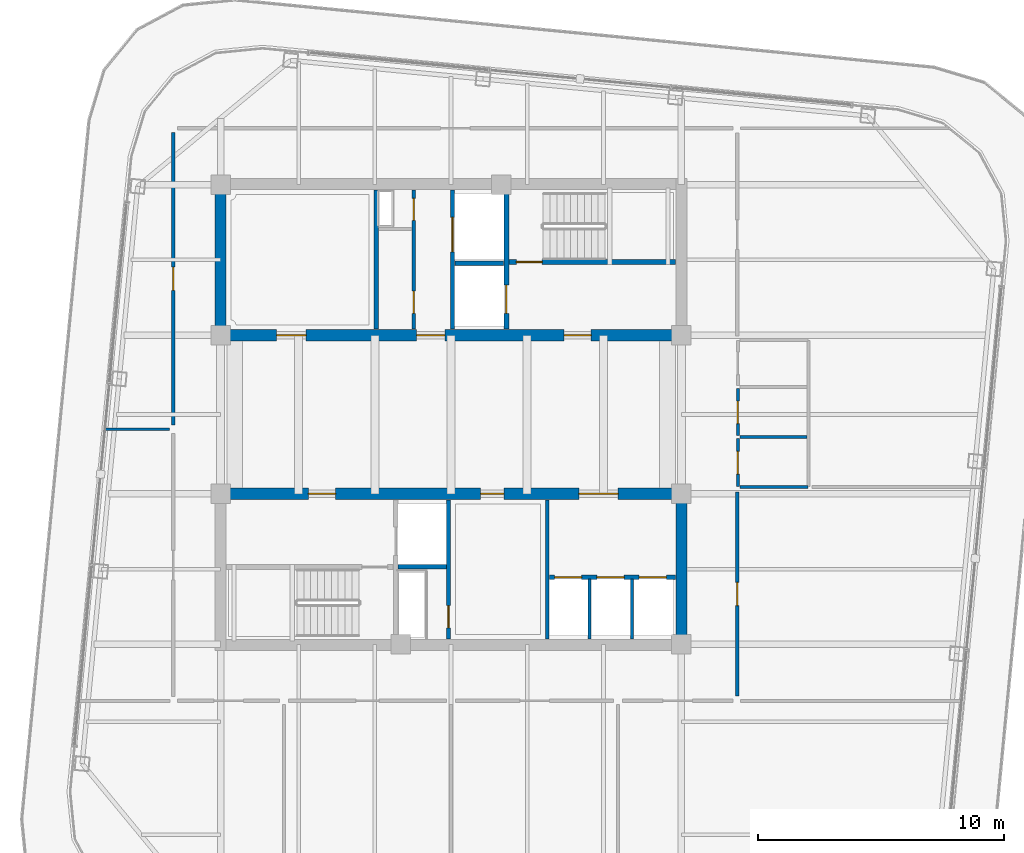
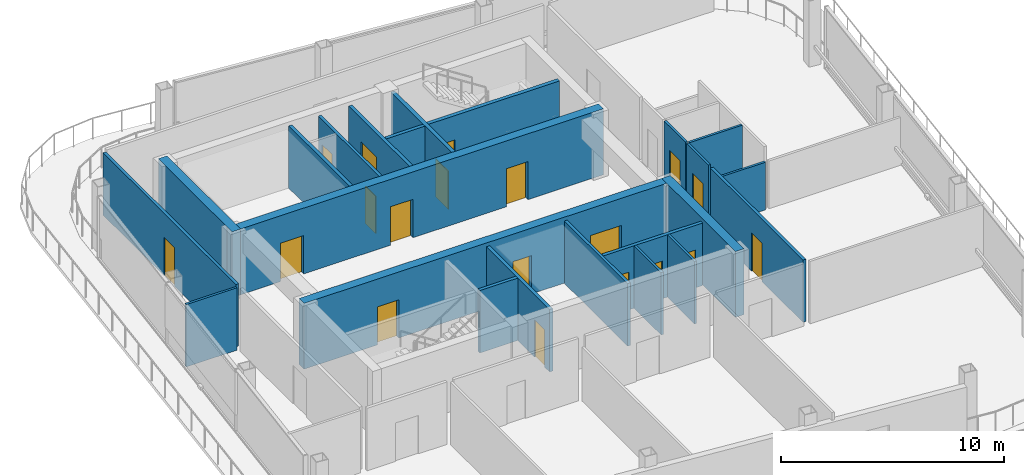
# One storey, part 17 of 23: 23 walls, 19 doors, 19 openings.
"""IFC4 building model written with IfcOpenShell, lengths in metres."""

from ifc_helpers import new_model, si_unit, direction, frame, frame_2d, origin, place, context, subcontext, project, spatial, rectangle, extrude, material, layer, layer_set, type_object, element, fill, save


model = new_model("IFC4")

# Units and contexts
model_context = context("Model", 3, precision=1e-05, world=origin(), true_north=direction((0.0, 1.0)))
body_context = subcontext(model_context, "Body", "Model", "MODEL_VIEW")
ifc_project = project(units=[si_unit("LENGTHUNIT", "METRE"), si_unit("AREAUNIT", "SQUARE_METRE"), si_unit("VOLUMEUNIT", "CUBIC_METRE"), si_unit("PLANEANGLEUNIT", "RADIAN"), si_unit("MASSUNIT", "GRAM", prefix="KILO")], contexts=[model_context])

# Site, building, storey
site_placement = place(None, origin())
site = spatial("IfcSite", under=ifc_project, at=site_placement, CompositionType="ELEMENT")
building_placement = place(site_placement, origin())
building = spatial("IfcBuilding", under=site, at=building_placement, Name="Qhalaya Broadcast Tower", CompositionType="ELEMENT")
storey_placement = place(building_placement, frame((0.0, 0.0, 276.949951171875)))
storey = spatial("IfcBuildingStorey", under=building, at=storey_placement, Name="L82", CompositionType="ELEMENT", Elevation=276.949951171875)

# Wall, openings, doors
ifc_material_1 = material(Name="Gypsum Acoustic Partition")
ifc_layer_1 = layer(ifc_material_1, 0.14990234375, Name="Gypsum Acoustic Partition")
ifc_layer_set_1 = layer_set([ifc_layer_1], Name="Gypsum Acoustic Partition")
wall_type_1 = type_object("IfcWallType", Name="Corridor & Tenancy Acoustic Partition 150", PredefinedType="PARTITIONING", material=ifc_layer_set_1)
wall_1_placement = place(storey_placement, frame((-1.52001953125, 4.070068359375, 0.0), z_axis=(0.0, 0.0, 1.0), x_axis=(0.0, 1.0, 0.0)))
wall_1 = element("IfcWall", 1, at=wall_1_placement, inside=storey, type_object=wall_type_1, Name="L82 Partition Wall NCW-SVL", PredefinedType="PARTITIONING", context=body_context, shape_type="SweptSolid", body=[
    extrude(rectangle(XDim=5.659912109375, YDim=0.14990234375, at=frame_2d((2.830078125, 0.0))), origin(), (0.0, 0.0, 1.0), 3.41015625),
])
opening_1_placement = place(wall_1_placement, frame((4.429931640625, 0.0, 0.0)))
opening_1 = element("IfcOpeningElement", 2, at=opening_1_placement, cuts=wall_1, Name="Opening D06", PredefinedType="OPENING", context=body_context, shape_type="SweptSolid", body=[
    extrude(rectangle(XDim=0.89990234375, YDim=2.050048828125, at=frame_2d((0.449951171875, 1.02490234375))), frame((0.0, 0.0869140625, 0.0), z_axis=(0.0, -1.0, 0.0), x_axis=(1.0, 0.0, 0.0)), (0.0, 0.0, 1.0), 0.173828125),
])
opening_2_placement = place(wall_1_placement, frame((0.64990234375, 0.0, 0.0)))
opening_2 = element("IfcOpeningElement", 3, at=opening_2_placement, cuts=wall_1, Name="Opening D06", PredefinedType="OPENING", context=body_context, shape_type="SweptSolid", body=[
    extrude(rectangle(XDim=0.89990234375, YDim=2.050048828125, at=frame_2d((0.449951171875, 1.02490234375))), frame((0.0, 0.0869140625, 0.0), z_axis=(0.0, -1.0, 0.0), x_axis=(1.0, 0.0, 0.0)), (0.0, 0.0, 1.0), 0.173828125),
])
ifc_material_2 = material(Name="Fire-Rated Steel Door", Category="steel")
door_type_1 = type_object("IfcDoorType", Name="Riser & Electrical Shaft Access Door D06", OperationType="NOTDEFINED", PredefinedType="DOOR", material=ifc_material_2)
door_1_placement = place(opening_1_placement, origin())
door_1 = element("IfcDoor", 4, at=door_1_placement, inside=storey, type_object=door_type_1, Name="L82 Riser Shaft Access Door D-NRSR", OperationType="SINGLE_SWING_RIGHT", OverallHeight=2.050048828125, OverallWidth=0.89990234375, PredefinedType="DOOR", context=body_context, shape_type="SweptSolid", body=[
    extrude(rectangle(XDim=0.89990234375, YDim=2.050048828125, at=frame_2d((0.449951171875, 1.02490234375))), frame((0.0, 0.02490234375, 0.0), z_axis=(0.0, -1.0, 0.0), x_axis=(1.0, 0.0, 0.0)), (0.0, 0.0, 1.0), 0.050048828125),
])
fill(opening_1, door_1)
door_2_placement = place(opening_2_placement, origin())
door_2 = element("IfcDoor", 5, at=door_2_placement, inside=storey, type_object=door_type_1, Name="L82 Door D-NCST", OperationType="SINGLE_SWING_LEFT", OverallHeight=2.050048828125, OverallWidth=0.89990234375, PredefinedType="DOOR", context=body_context, shape_type="SweptSolid", body=[
    extrude(rectangle(XDim=0.89990234375, YDim=2.050048828125, at=frame_2d((0.449951171875, 1.02490234375))), frame((0.0, 0.02490234375, 0.0), z_axis=(0.0, -1.0, 0.0), x_axis=(1.0, 0.0, 0.0)), (0.0, 0.0, 1.0), 0.050048828125),
])
fill(opening_2, door_2)

# Wall
wall_2_placement = place(storey_placement, frame((3.919921875, -8.530029296875, 0.0), z_axis=(0.0, 0.0, 1.0), x_axis=(0.0, 1.0, 0.0)))
element("IfcWall", 6, at=wall_2_placement, inside=storey, type_object=wall_type_1, Name="L82 Partition Wall SCW-HSEP", PredefinedType="PARTITIONING", context=body_context, shape_type="SweptSolid", body=[
    extrude(rectangle(XDim=5.659912109375, YDim=0.14990234375, at=frame_2d((2.830078125, 0.0))), origin(), (0.0, 0.0, 1.0), 3.41015625),
])

# Wall, opening, door
wall_3_placement = place(storey_placement, frame((-11.300048828125, 0.179931640625, 0.0), z_axis=(0.0, 0.0, 1.0), x_axis=(0.0, 1.0, 0.0)))
wall_3 = element("IfcWall", 7, at=wall_3_placement, inside=storey, type_object=wall_type_1, Name="L82 Partition Wall W-COR-07", PredefinedType="PARTITIONING", context=body_context, shape_type="SweptSolid", body=[
    extrude(rectangle(XDim=11.89013671875, YDim=0.14990234375, at=frame_2d((5.945068359375, 0.0))), origin(), (0.0, 0.0, 1.0), 3.41015625),
])
opening_3_placement = place(wall_3_placement, frame((5.469970703125, 0.0, 0.0)))
opening_3 = element("IfcOpeningElement", 8, at=opening_3_placement, cuts=wall_3, Name="Opening D10", PredefinedType="OPENING", context=body_context, shape_type="SweptSolid", body=[
    extrude(rectangle(XDim=0.949951171875, YDim=2.10009765625, at=frame_2d((0.47509765625, 1.050048828125))), frame((0.0, 0.0869140625, 0.0), z_axis=(0.0, -1.0, 0.0), x_axis=(1.0, 0.0, 0.0)), (0.0, 0.0, 1.0), 0.173828125),
])
ifc_material_3 = material(Name="Timber Veneer Acoustic Door", Category="wood")
door_type_2 = type_object("IfcDoorType", Name="Cellular Office & Edit Booth Door D10", OperationType="NOTDEFINED", PredefinedType="DOOR", material=ifc_material_3)
door_3_placement = place(opening_3_placement, origin())
door_3 = element("IfcDoor", 9, at=door_3_placement, inside=storey, type_object=door_type_2, Name="L82 Door D-RM07", OperationType="SINGLE_SWING_RIGHT", OverallHeight=2.10009765625, OverallWidth=0.949951171875, PredefinedType="DOOR", context=body_context, shape_type="SweptSolid", body=[
    extrude(rectangle(XDim=0.949951171875, YDim=2.10009765625, at=frame_2d((0.47509765625, 1.050048828125))), frame((0.0, 0.02490234375, 0.0), z_axis=(0.0, -1.0, 0.0), x_axis=(1.0, 0.0, 0.0)), (0.0, 0.0, 1.0), 0.050048828125),
])
fill(opening_3, door_3)

wall_4_placement = place(storey_placement, frame((11.64990234375, -10.85009765625, 0.0), z_axis=(0.0, 0.0, 1.0), x_axis=(0.0, 1.0, 0.0)))
wall_4 = element("IfcWall", 10, at=wall_4_placement, inside=storey, type_object=wall_type_1, Name="L82 Partition Wall W-COR-08", PredefinedType="PARTITIONING", context=body_context, shape_type="SweptSolid", body=[
    extrude(rectangle(XDim=8.2900390625, YDim=0.14990234375, at=frame_2d((4.14501953125, 0.0))), origin(), (0.0, 0.0, 1.0), 3.41015625),
])
opening_4_placement = place(wall_4_placement, frame((3.669921875, 0.0, 0.0)))
opening_4 = element("IfcOpeningElement", 11, at=opening_4_placement, cuts=wall_4, Name="Opening D10", PredefinedType="OPENING", context=body_context, shape_type="SweptSolid", body=[
    extrude(rectangle(XDim=0.949951171875, YDim=2.10009765625, at=frame_2d((0.47509765625, 1.050048828125))), frame((0.0, 0.0869140625, 0.0), z_axis=(0.0, -1.0, 0.0), x_axis=(1.0, 0.0, 0.0)), (0.0, 0.0, 1.0), 0.173828125),
])
door_4_placement = place(opening_4_placement, origin())
door_4 = element("IfcDoor", 12, at=door_4_placement, inside=storey, type_object=door_type_2, Name="L82 Door D-RM08", OperationType="SINGLE_SWING_LEFT", OverallHeight=2.10009765625, OverallWidth=0.949951171875, PredefinedType="DOOR", context=body_context, shape_type="SweptSolid", body=[
    extrude(rectangle(XDim=0.949951171875, YDim=2.10009765625, at=frame_2d((0.47509765625, 1.050048828125))), frame((0.0, 0.02490234375, 0.0), z_axis=(0.0, -1.0, 0.0), x_axis=(1.0, 0.0, 0.0)), (0.0, 0.0, 1.0), 0.050048828125),
])
fill(opening_4, door_4)

ifc_material_4 = material(Name="Concrete C50/60", Category="concrete")
ifc_layer_2 = layer(ifc_material_4, 0.199951171875, Name="Concrete C50/60")
ifc_layer_set_2 = layer_set([ifc_layer_2], Name="Concrete C50/60")
wall_type_2 = type_object("IfcWallType", Name="Load-Bearing Stair Shaft Wall 200", PredefinedType="SHEAR", material=ifc_layer_set_2)
wall_5_placement = place(storey_placement, frame((2.360107421875, 6.804931640625, 0.0), z_axis=(0.0, 0.0, 1.0), x_axis=(1.0, 0.0, 0.0)))
wall_5 = element("IfcWall", 13, at=wall_5_placement, inside=storey, type_object=wall_type_2, Name="L82 Stair Core Shear Wall NCW-ST1", PredefinedType="SHEAR", context=body_context, shape_type="SweptSolid", body=[
    extrude(rectangle(XDim=6.769775390625, YDim=0.199951171875, at=frame_2d((3.384765625, 0.0))), origin(), (0.0, 0.0, 1.0), 3.41015625),
])
opening_5_placement = place(wall_5_placement, frame((0.300048828125, 0.0, 0.0)))
opening_5 = element("IfcOpeningElement", 14, at=opening_5_placement, cuts=wall_5, Name="Opening D03", PredefinedType="OPENING", context=body_context, shape_type="SweptSolid", body=[
    extrude(rectangle(XDim=1.050048828125, YDim=2.080078125, at=frame_2d((0.52490234375, 1.0400390625))), frame((0.0, 0.112060546875, 0.0), z_axis=(0.0, -1.0, 0.0), x_axis=(1.0, 0.0, 0.0)), (0.0, 0.0, 1.0), 0.223876953125),
])
door_type_3 = type_object("IfcDoorType", Name="Core Stair Protected Fire Door D03", OperationType="NOTDEFINED", PredefinedType="DOOR", material=ifc_material_2)
door_5_placement = place(opening_5_placement, origin())
door_5 = element("IfcDoor", 15, at=door_5_placement, inside=storey, type_object=door_type_3, Name="L82 Door D-NST1", OperationType="SINGLE_SWING_LEFT", OverallHeight=2.080078125, OverallWidth=1.050048828125, PredefinedType="DOOR", context=body_context, shape_type="SweptSolid", body=[
    extrude(rectangle(XDim=1.050048828125, YDim=2.080078125, at=frame_2d((0.52490234375, 1.0400390625))), frame((0.0, 0.02490234375, 0.0), z_axis=(0.0, -1.0, 0.0), x_axis=(1.0, 0.0, 0.0)), (0.0, 0.0, 1.0), 0.050048828125),
])
fill(opening_5, door_5)

wall_6_placement = place(storey_placement, frame((2.25, 4.070068359375, 0.0), z_axis=(0.0, 0.0, 1.0), x_axis=(0.0, 1.0, 0.0)))
wall_6 = element("IfcWall", 16, at=wall_6_placement, inside=storey, type_object=wall_type_2, Name="L82 Stair Core Shear Wall NCW-FF", PredefinedType="SHEAR", context=body_context, shape_type="SweptSolid", body=[
    extrude(rectangle(XDim=5.659912109375, YDim=0.199951171875, at=frame_2d((2.830078125, 0.0))), origin(), (0.0, 0.0, 1.0), 3.41015625),
])
opening_6_placement = place(wall_6_placement, frame((0.64990234375, 0.0, 0.0)))
opening_6 = element("IfcOpeningElement", 17, at=opening_6_placement, cuts=wall_6, Name="Opening LD2", PredefinedType="OPENING", context=body_context, shape_type="SweptSolid", body=[
    extrude(rectangle(XDim=1.14990234375, YDim=2.080078125, at=frame_2d((0.574951171875, 1.0400390625))), frame((0.0, 0.112060546875, 0.0), z_axis=(0.0, -1.0, 0.0), x_axis=(1.0, 0.0, 0.0)), (0.0, 0.0, 1.0), 0.223876953125),
])
ifc_material_5 = material(Name="Brushed Stainless Steel Lift Door", Category="steel")
door_type_4 = type_object("IfcDoorType", Name="Firefighting Lift Sliding Landing Door LD2", OperationType="DOUBLE_DOOR_SLIDING", PredefinedType="DOOR", material=ifc_material_5)
door_6_placement = place(opening_6_placement, origin())
door_6 = element("IfcDoor", 18, at=door_6_placement, inside=storey, type_object=door_type_4, Name="L82 Door LD-FF1", OperationType="DOUBLE_DOOR_SLIDING", OverallHeight=2.080078125, OverallWidth=1.14990234375, PredefinedType="DOOR", context=body_context, shape_type="SweptSolid", body=[
    extrude(rectangle(XDim=1.14990234375, YDim=2.080078125, at=frame_2d((0.574951171875, 1.0400390625))), frame((0.0, 0.02490234375, 0.0), z_axis=(0.0, -1.0, 0.0), x_axis=(1.0, 0.0, 0.0)), (0.0, 0.0, 1.0), 0.050048828125),
])
fill(opening_6, door_6)

# Walls
ifc_layer_3 = layer(ifc_material_1, 0.1201171875, Name="Gypsum Acoustic Partition")
ifc_layer_set_3 = layer_set([ifc_layer_3], Name="Gypsum Acoustic Partition")
wall_type_3 = type_object("IfcWallType", Name="Office, Booth & Sanitary Partition 120", PredefinedType="PARTITIONING", material=ifc_layer_set_3)
for number, where, z_axis, x_axis, name in (
    (19, (5.639892578125, -8.530029296875, 0.0), (0.0, 0.0, 1.0), (0.0, 1.0, 0.0), "L82 Partition Wall SCW-HD6"),
    (20, (7.360107421875, -8.530029296875, 0.0), (0.0, 0.0, 1.0), (0.0, 1.0, 0.0), "L82 Partition Wall SCW-HD7"),
):
    element("IfcWall", number, at=place(storey_placement, frame(where, z_axis=z_axis, x_axis=x_axis)), inside=storey, type_object=wall_type_3, Name=name, PredefinedType="PARTITIONING", context=body_context, shape_type="SweptSolid", body=[
        extrude(rectangle(XDim=2.429931640625, YDim=0.1201171875, at=frame_2d((1.21484375, 0.0))), origin(), (0.0, 0.0, 1.0), 3.41015625),
    ])

# Wall, opening, door
wall_7_placement = place(storey_placement, frame((11.669921875, -2.320068359375, 0.0), z_axis=(0.0, 0.0, 1.0), x_axis=(0.0, 1.0, 0.0)))
wall_7 = element("IfcWall", 21, at=wall_7_placement, inside=storey, type_object=wall_type_3, Name="L82 Partition Wall W-WCWA", PredefinedType="PARTITIONING", context=body_context, shape_type="SweptSolid", body=[
    extrude(rectangle(XDim=1.940185546875, YDim=0.1201171875, at=frame_2d((0.97021484375, 0.0))), origin(), (0.0, 0.0, 1.0), 3.41015625),
])
opening_7_placement = place(wall_7_placement, frame((0.4951171875, 0.0, 0.0)))
opening_7 = element("IfcOpeningElement", 22, at=opening_7_placement, cuts=wall_7, Name="Opening D12", PredefinedType="OPENING", context=body_context, shape_type="SweptSolid", body=[
    extrude(rectangle(XDim=0.919921875, YDim=2.10009765625, at=frame_2d((0.4599609375, 1.050048828125))), frame((0.0, 0.072021484375, 0.0), z_axis=(0.0, -1.0, 0.0), x_axis=(1.0, 0.0, 0.0)), (0.0, 0.0, 1.0), 0.14404296875),
])
door_type_5 = type_object("IfcDoorType", Name="Accessible WC & Restroom Door D12", OperationType="NOTDEFINED", PredefinedType="DOOR", material=ifc_material_3)
door_7_placement = place(opening_7_placement, origin())
door_7 = element("IfcDoor", 23, at=door_7_placement, inside=storey, type_object=door_type_5, Name="L82 Door D-WCA", OperationType="SINGLE_SWING_LEFT", OverallHeight=2.10009765625, OverallWidth=0.919921875, PredefinedType="DOOR", context=body_context, shape_type="SweptSolid", body=[
    extrude(rectangle(XDim=0.919921875, YDim=2.10009765625, at=frame_2d((0.4599609375, 1.050048828125))), frame((0.0, 0.02490234375, 0.0), z_axis=(0.0, -1.0, 0.0), x_axis=(1.0, 0.0, 0.0)), (0.0, 0.0, 1.0), 0.050048828125),
])
fill(opening_7, door_7)

wall_8_placement = place(storey_placement, frame((11.669921875, -0.25, 0.0), z_axis=(0.0, 0.0, 1.0), x_axis=(0.0, 1.0, 0.0)))
wall_8 = element("IfcWall", 24, at=wall_8_placement, inside=storey, type_object=wall_type_3, Name="L82 Partition Wall W-WCWM", PredefinedType="PARTITIONING", context=body_context, shape_type="SweptSolid", body=[
    extrude(rectangle(XDim=1.89990234375, YDim=0.1201171875, at=frame_2d((0.949951171875, 0.0))), origin(), (0.0, 0.0, 1.0), 3.41015625),
])
opening_8_placement = place(wall_8_placement, frame((0.47509765625, 0.0, 0.0)))
opening_8 = element("IfcOpeningElement", 25, at=opening_8_placement, cuts=wall_8, Name="Opening D12", PredefinedType="OPENING", context=body_context, shape_type="SweptSolid", body=[
    extrude(rectangle(XDim=0.919921875, YDim=2.10009765625, at=frame_2d((0.4599609375, 1.050048828125))), frame((0.0, 0.072021484375, 0.0), z_axis=(0.0, -1.0, 0.0), x_axis=(1.0, 0.0, 0.0)), (0.0, 0.0, 1.0), 0.14404296875),
])
door_8_placement = place(opening_8_placement, origin())
door_8 = element("IfcDoor", 26, at=door_8_placement, inside=storey, type_object=door_type_5, Name="L82 Door D-WCM", OperationType="SINGLE_SWING_RIGHT", OverallHeight=2.10009765625, OverallWidth=0.919921875, PredefinedType="DOOR", context=body_context, shape_type="SweptSolid", body=[
    extrude(rectangle(XDim=0.919921875, YDim=2.10009765625, at=frame_2d((0.4599609375, 1.050048828125))), frame((0.0, 0.02490234375, 0.0), z_axis=(0.0, -1.0, 0.0), x_axis=(1.0, 0.0, 0.0)), (0.0, 0.0, 1.0), 0.050048828125),
])
fill(opening_8, door_8)

# Walls
wall_9_placement = place(storey_placement, frame((11.760009765625, -2.35009765625, 0.0), z_axis=(0.0, 0.0, 1.0), x_axis=(1.0, 0.0, 0.0)))
element("IfcWall", 27, at=wall_9_placement, inside=storey, type_object=wall_type_3, Name="L82 Partition Wall W-WCS", PredefinedType="PARTITIONING", context=body_context, shape_type="SweptSolid", body=[
    extrude(rectangle(XDim=2.760009765625, YDim=0.1201171875, at=frame_2d((1.3798828125, 0.0))), origin(), (0.0, 0.0, 1.0), 2.610107421875),
])
wall_10_placement = place(storey_placement, frame((11.760009765625, -0.320068359375, 0.0), z_axis=(0.0, 0.0, 1.0), x_axis=(1.0, 0.0, 0.0)))
element("IfcWall", 28, at=wall_10_placement, inside=storey, type_object=wall_type_3, Name="L82 Partition Wall W-WCD1", PredefinedType="PARTITIONING", context=body_context, shape_type="SweptSolid", body=[
    extrude(rectangle(XDim=2.719970703125, YDim=0.1201171875, at=frame_2d((1.35986328125, 0.0))), origin(), (0.0, 0.0, 1.0), 3.41015625),
])
wall_11_placement = place(storey_placement, frame((-14.081787109375, 0.0, 0.0), z_axis=(0.0, 0.0, 1.0), x_axis=(1.0, 0.0, 0.0)))
element("IfcWall", 29, at=wall_11_placement, inside=storey, type_object=wall_type_3, Name="L82 Partition Wall W-DIVW1", PredefinedType="PARTITIONING", context=body_context, shape_type="SweptSolid", body=[
    extrude(rectangle(XDim=2.621826171875, YDim=0.1201171875, at=frame_2d((1.31103515625, 0.0))), origin(), (0.0, 0.0, 1.0), 3.41015625),
])

# Wall, opening, door
ifc_layer_4 = layer(ifc_material_1, 0.175048828125, Name="Gypsum Acoustic Partition")
ifc_layer_set_4 = layer_set([ifc_layer_4], Name="Gypsum Acoustic Partition")
wall_type_4 = type_object("IfcWallType", Name="Shaft & Riser Fire Partition 175", PredefinedType="PARTITIONING", material=ifc_layer_set_4)
wall_12_placement = place(storey_placement, frame((0.06005859375, 4.070068359375, 0.0), z_axis=(0.0, 0.0, 1.0), x_axis=(0.0, 1.0, 0.0)))
wall_12 = element("IfcWall", 30, at=wall_12_placement, inside=storey, type_object=wall_type_4, Name="L82 Partition Wall NCW-SVW", PredefinedType="PARTITIONING", context=body_context, shape_type="SweptSolid", body=[
    extrude(rectangle(XDim=5.659912109375, YDim=0.175048828125, at=frame_2d((2.830078125, 0.0))), origin(), (0.0, 0.0, 1.0), 3.41015625),
])
opening_9_placement = place(wall_12_placement, frame((3.14990234375, 0.0, 0.0)))
opening_9 = element("IfcOpeningElement", 31, at=opening_9_placement, cuts=wall_12, Name="Opening LD3", PredefinedType="OPENING", context=body_context, shape_type="SweptSolid", body=[
    extrude(rectangle(XDim=1.39990234375, YDim=2.1201171875, at=frame_2d((0.699951171875, 1.06005859375))), frame((0.0, 0.099609375, 0.0), z_axis=(0.0, -1.0, 0.0), x_axis=(1.0, 0.0, 0.0)), (0.0, 0.0, 1.0), 0.198974609375),
])
door_type_6 = type_object("IfcDoorType", Name="Service Lift Wide Sliding Landing Door LD3", OperationType="DOUBLE_DOOR_SLIDING", PredefinedType="DOOR", material=ifc_material_5)
door_9_placement = place(opening_9_placement, origin())
door_9 = element("IfcDoor", 32, at=door_9_placement, inside=storey, type_object=door_type_6, Name="L82 Door LD-SV1", OperationType="DOUBLE_DOOR_SLIDING", OverallHeight=2.1201171875, OverallWidth=1.39990234375, PredefinedType="DOOR", context=body_context, shape_type="SweptSolid", body=[
    extrude(rectangle(XDim=1.39990234375, YDim=2.1201171875, at=frame_2d((0.699951171875, 1.06005859375))), frame((0.0, 0.02490234375, 0.0), z_axis=(0.0, -1.0, 0.0), x_axis=(1.0, 0.0, 0.0)), (0.0, 0.0, 1.0), 0.050048828125),
])
fill(opening_9, door_9)

# Walls
wall_13_placement = place(storey_placement, frame((0.159912109375, 6.75, 0.0), z_axis=(0.0, 0.0, 1.0), x_axis=(1.0, 0.0, 0.0)))
element("IfcWall", 33, at=wall_13_placement, inside=storey, type_object=wall_type_4, Name="L82 Partition Wall NCW-SVM", PredefinedType="PARTITIONING", context=body_context, shape_type="SweptSolid", body=[
    extrude(rectangle(XDim=1.97998046875, YDim=0.175048828125, at=frame_2d((0.989990234375, 0.0))), origin(), (0.0, 0.0, 1.0), 3.41015625),
])
wall_14_placement = place(storey_placement, frame((-3.0400390625, 4.070068359375, 0.0), z_axis=(0.0, 0.0, 1.0), x_axis=(0.0, 1.0, 0.0)))
element("IfcWall", 34, at=wall_14_placement, inside=storey, type_object=wall_type_4, Name="L82 Partition Wall NCW-VRW", PredefinedType="PARTITIONING", context=body_context, shape_type="SweptSolid", body=[
    extrude(rectangle(XDim=5.659912109375, YDim=0.175048828125, at=frame_2d((2.830078125, 0.0))), origin(), (0.0, 0.0, 1.0), 3.41015625),
])

# Wall, opening, door
wall_15_placement = place(storey_placement, frame((-0.10009765625, -8.530029296875, 0.0), z_axis=(0.0, 0.0, 1.0), x_axis=(0.0, 1.0, 0.0)))
wall_15 = element("IfcWall", 35, at=wall_15_placement, inside=storey, type_object=wall_type_4, Name="L82 Partition Wall SCW-FFE", PredefinedType="PARTITIONING", context=body_context, shape_type="SweptSolid", body=[
    extrude(rectangle(XDim=5.659912109375, YDim=0.175048828125, at=frame_2d((2.830078125, 0.0))), origin(), (0.0, 0.0, 1.0), 3.41015625),
])
opening_10_placement = place(wall_15_placement, frame((0.449951171875, 0.0, 0.0)))
opening_10 = element("IfcOpeningElement", 36, at=opening_10_placement, cuts=wall_15, Name="Opening D06", PredefinedType="OPENING", context=body_context, shape_type="SweptSolid", body=[
    extrude(rectangle(XDim=0.89990234375, YDim=2.050048828125, at=frame_2d((0.449951171875, 1.02490234375))), frame((0.0, 0.099609375, 0.0), z_axis=(0.0, -1.0, 0.0), x_axis=(1.0, 0.0, 0.0)), (0.0, 0.0, 1.0), 0.198974609375),
])
door_10_placement = place(opening_10_placement, origin())
door_10 = element("IfcDoor", 37, at=door_10_placement, inside=storey, type_object=door_type_1, Name="L82 Riser Shaft Access Door D-SRSR", OperationType="SINGLE_SWING_LEFT", OverallHeight=2.050048828125, OverallWidth=0.89990234375, PredefinedType="DOOR", context=body_context, shape_type="SweptSolid", body=[
    extrude(rectangle(XDim=0.89990234375, YDim=2.050048828125, at=frame_2d((0.449951171875, 1.02490234375))), frame((0.0, 0.02490234375, 0.0), z_axis=(0.0, -1.0, 0.0), x_axis=(1.0, 0.0, 0.0)), (0.0, 0.0, 1.0), 0.050048828125),
])
fill(opening_10, door_10)

# Wall
wall_16_placement = place(storey_placement, frame((-2.14990234375, -5.60009765625, 0.0), z_axis=(0.0, 0.0, 1.0), x_axis=(1.0, 0.0, 0.0)))
element("IfcWall", 38, at=wall_16_placement, inside=storey, type_object=wall_type_4, Name="L82 Partition Wall SCW-FFM", PredefinedType="PARTITIONING", context=body_context, shape_type="SweptSolid", body=[
    extrude(rectangle(XDim=1.969970703125, YDim=0.175048828125, at=frame_2d((0.98486328125, 0.0))), origin(), (0.0, 0.0, 1.0), 3.41015625),
])

# Wall, openings, doors
wall_17_placement = place(storey_placement, frame((4.0, -6.02001953125, 0.0), z_axis=(0.0, 0.0, 1.0), x_axis=(1.0, 0.0, 0.0)))
wall_17 = element("IfcWall", 39, at=wall_17_placement, inside=storey, type_object=wall_type_4, Name="L82 Partition Wall SCW-SLB", PredefinedType="PARTITIONING", context=body_context, shape_type="SweptSolid", body=[
    extrude(rectangle(XDim=5.1298828125, YDim=0.175048828125, at=frame_2d((2.56494140625, 0.0))), origin(), (0.0, 0.0, 1.0), 3.41015625),
])
opening_11_placement = place(wall_17_placement, frame((0.219970703125, 0.0, 0.0)))
opening_11 = element("IfcOpeningElement", 40, at=opening_11_placement, cuts=wall_17, Name="Opening LD1", PredefinedType="OPENING", context=body_context, shape_type="SweptSolid", body=[
    extrude(rectangle(XDim=1.10009765625, YDim=2.06005859375, at=frame_2d((0.550048828125, 1.030029296875))), frame((0.0, 0.099609375, 0.0), z_axis=(0.0, -1.0, 0.0), x_axis=(1.0, 0.0, 0.0)), (0.0, 0.0, 1.0), 0.198974609375),
])
opening_12_placement = place(wall_17_placement, frame((1.93994140625, 0.0, 0.0)))
opening_12 = element("IfcOpeningElement", 41, at=opening_12_placement, cuts=wall_17, Name="Opening LD1", PredefinedType="OPENING", context=body_context, shape_type="SweptSolid", body=[
    extrude(rectangle(XDim=1.10009765625, YDim=2.06005859375, at=frame_2d((0.550048828125, 1.030029296875))), frame((0.0, 0.099609375, 0.0), z_axis=(0.0, -1.0, 0.0), x_axis=(1.0, 0.0, 0.0)), (0.0, 0.0, 1.0), 0.198974609375),
])
opening_13_placement = place(wall_17_placement, frame((3.659912109375, 0.0, 0.0)))
opening_13 = element("IfcOpeningElement", 42, at=opening_13_placement, cuts=wall_17, Name="Opening LD1", PredefinedType="OPENING", context=body_context, shape_type="SweptSolid", body=[
    extrude(rectangle(XDim=1.10009765625, YDim=2.06005859375, at=frame_2d((0.550048828125, 1.030029296875))), frame((0.0, 0.099609375, 0.0), z_axis=(0.0, -1.0, 0.0), x_axis=(1.0, 0.0, 0.0)), (0.0, 0.0, 1.0), 0.198974609375),
])
door_type_7 = type_object("IfcDoorType", Name="Passenger Lift Sliding Landing Door LD1", OperationType="DOUBLE_DOOR_SLIDING", PredefinedType="DOOR", material=ifc_material_5)
door_11_placement = place(opening_11_placement, origin())
door_11 = element("IfcDoor", 43, at=door_11_placement, inside=storey, type_object=door_type_7, Name="L82 Door LD-P6", OperationType="DOUBLE_DOOR_SLIDING", OverallHeight=2.06005859375, OverallWidth=1.10009765625, PredefinedType="DOOR", context=body_context, shape_type="SweptSolid", body=[
    extrude(rectangle(XDim=1.10009765625, YDim=2.06005859375, at=frame_2d((0.550048828125, 1.030029296875))), frame((0.0, 0.02490234375, 0.0), z_axis=(0.0, -1.0, 0.0), x_axis=(1.0, 0.0, 0.0)), (0.0, 0.0, 1.0), 0.050048828125),
])
fill(opening_11, door_11)
door_12_placement = place(opening_12_placement, origin())
door_12 = element("IfcDoor", 44, at=door_12_placement, inside=storey, type_object=door_type_7, Name="L82 Door LD-P7", OperationType="DOUBLE_DOOR_SLIDING", OverallHeight=2.06005859375, OverallWidth=1.10009765625, PredefinedType="DOOR", context=body_context, shape_type="SweptSolid", body=[
    extrude(rectangle(XDim=1.10009765625, YDim=2.06005859375, at=frame_2d((0.550048828125, 1.030029296875))), frame((0.0, 0.02490234375, 0.0), z_axis=(0.0, -1.0, 0.0), x_axis=(1.0, 0.0, 0.0)), (0.0, 0.0, 1.0), 0.050048828125),
])
fill(opening_12, door_12)
door_13_placement = place(opening_13_placement, origin())
door_13 = element("IfcDoor", 45, at=door_13_placement, inside=storey, type_object=door_type_7, Name="L82 Door LD-P8", OperationType="DOUBLE_DOOR_SLIDING", OverallHeight=2.06005859375, OverallWidth=1.10009765625, PredefinedType="DOOR", context=body_context, shape_type="SweptSolid", body=[
    extrude(rectangle(XDim=1.10009765625, YDim=2.06005859375, at=frame_2d((0.550048828125, 1.030029296875))), frame((0.0, 0.02490234375, 0.0), z_axis=(0.0, -1.0, 0.0), x_axis=(1.0, 0.0, 0.0)), (0.0, 0.0, 1.0), 0.050048828125),
])
fill(opening_13, door_13)

ifc_layer_5 = layer(ifc_material_4, 0.449951171875, Name="Concrete C50/60")
ifc_layer_set_5 = layer_set([ifc_layer_5], Name="Concrete C50/60")
wall_type_5 = type_object("IfcWallType", Name="Upper Split-Core Shear Wall 450", PredefinedType="SHEAR", material=ifc_layer_set_5)
wall_18_placement = place(storey_placement, frame((-9.60009765625, 3.824951171875, 0.0), z_axis=(0.0, 0.0, 1.0), x_axis=(1.0, 0.0, 0.0)))
wall_18 = element("IfcWall", 46, at=wall_18_placement, inside=storey, type_object=wall_type_5, Name="L82 Split-Core Shear Wall CW-NS", PredefinedType="SHEAR", context=body_context, shape_type="SweptSolid", body=[
    extrude(rectangle(XDim=19.2001953125, YDim=0.449951171875, at=frame_2d((9.60009765625, 0.0))), origin(), (0.0, 0.0, 1.0), 3.60009765625),
])
opening_14_placement = place(wall_18_placement, frame((14.199951171875, 0.0, 0.0)))
opening_14 = element("IfcOpeningElement", 47, at=opening_14_placement, cuts=wall_18, Name="Opening D04", PredefinedType="OPENING", context=body_context, shape_type="SweptSolid", body=[
    extrude(rectangle(XDim=1.10009765625, YDim=2.080078125, at=frame_2d((0.550048828125, 1.0400390625))), frame((0.0, 0.237060546875, 0.0), z_axis=(0.0, -1.0, 0.0), x_axis=(1.0, 0.0, 0.0)), (0.0, 0.0, 1.0), 0.473876953125),
])
opening_15_placement = place(wall_18_placement, frame((8.199951171875, 0.0, 0.0)))
opening_15 = element("IfcOpeningElement", 48, at=opening_15_placement, cuts=wall_18, Name="Opening D05", PredefinedType="OPENING", context=body_context, shape_type="SweptSolid", body=[
    extrude(rectangle(XDim=1.14990234375, YDim=2.10009765625, at=frame_2d((0.574951171875, 1.050048828125))), frame((0.0, 0.237060546875, 0.0), z_axis=(0.0, -1.0, 0.0), x_axis=(1.0, 0.0, 0.0)), (0.0, 0.0, 1.0), 0.473876953125),
])
opening_16_placement = place(wall_18_placement, frame((2.5, 0.0, 0.0)))
opening_16 = element("IfcOpeningElement", 49, at=opening_16_placement, cuts=wall_18, Name="Opening D11", PredefinedType="OPENING", context=body_context, shape_type="SweptSolid", body=[
    extrude(rectangle(XDim=1.199951171875, YDim=2.10009765625, at=frame_2d((0.60009765625, 1.050048828125))), frame((0.0, 0.237060546875, 0.0), z_axis=(0.0, -1.0, 0.0), x_axis=(1.0, 0.0, 0.0)), (0.0, 0.0, 1.0), 0.473876953125),
])
ifc_material_6 = material(Name="Anodised Aluminium Glazed Door", Category="aluminium")
door_type_8 = type_object("IfcDoorType", Name="Conference, Boardroom & Studio Control Door D11", OperationType="NOTDEFINED", PredefinedType="DOOR", material=ifc_material_6)
door_14_placement = place(opening_16_placement, origin())
door_14 = element("IfcDoor", 50, at=door_14_placement, inside=storey, type_object=door_type_8, Name="L82 Door D-NREC1", OperationType="SINGLE_SWING_LEFT", OverallHeight=2.10009765625, OverallWidth=1.199951171875, PredefinedType="DOOR", context=body_context, shape_type="SweptSolid", body=[
    extrude(rectangle(XDim=1.199951171875, YDim=2.10009765625, at=frame_2d((0.60009765625, 1.050048828125))), frame((0.0, 0.02490234375, 0.0), z_axis=(0.0, -1.0, 0.0), x_axis=(1.0, 0.0, 0.0)), (0.0, 0.0, 1.0), 0.050048828125),
])
fill(opening_16, door_14)
door_type_9 = type_object("IfcDoorType", Name="Firefighting Lobby Rated Door D04", OperationType="NOTDEFINED", PredefinedType="DOOR", material=ifc_material_2)
door_15_placement = place(opening_14_placement, origin())
door_15 = element("IfcDoor", 51, at=door_15_placement, inside=storey, type_object=door_type_9, Name="L82 Door D-NFF", OperationType="SINGLE_SWING_RIGHT", OverallHeight=2.080078125, OverallWidth=1.10009765625, PredefinedType="DOOR", context=body_context, shape_type="SweptSolid", body=[
    extrude(rectangle(XDim=1.10009765625, YDim=2.080078125, at=frame_2d((0.550048828125, 1.0400390625))), frame((0.0, 0.02490234375, 0.0), z_axis=(0.0, -1.0, 0.0), x_axis=(1.0, 0.0, 0.0)), (0.0, 0.0, 1.0), 0.050048828125),
])
fill(opening_14, door_15)
door_type_10 = type_object("IfcDoorType", Name="Refuge & Plant Room Fire Door D05", OperationType="NOTDEFINED", PredefinedType="DOOR", material=ifc_material_2)
door_16_placement = place(opening_15_placement, origin())
door_16 = element("IfcDoor", 52, at=door_16_placement, inside=storey, type_object=door_type_10, Name="L82 Door D-NSVL", OperationType="SINGLE_SWING_LEFT", OverallHeight=2.10009765625, OverallWidth=1.14990234375, PredefinedType="DOOR", context=body_context, shape_type="SweptSolid", body=[
    extrude(rectangle(XDim=1.14990234375, YDim=2.10009765625, at=frame_2d((0.574951171875, 1.050048828125))), frame((0.0, 0.02490234375, 0.0), z_axis=(0.0, -1.0, 0.0), x_axis=(1.0, 0.0, 0.0)), (0.0, 0.0, 1.0), 0.050048828125),
])
fill(opening_15, door_16)

# Wall
wall_19_placement = place(storey_placement, frame((-9.375, 3.60009765625, 0.0), z_axis=(0.0, 0.0, 1.0), x_axis=(0.0, 1.0, 0.0)))
element("IfcWall", 53, at=wall_19_placement, inside=storey, type_object=wall_type_5, Name="L82 Split-Core Shear Wall CW-NW", PredefinedType="SHEAR", context=body_context, shape_type="SweptSolid", body=[
    extrude(rectangle(XDim=6.599853515625, YDim=0.449951171875, at=frame_2d((3.2998046875, 0.0))), origin(), (0.0, 0.0, 1.0), 3.60009765625),
])

# Wall, openings, doors
wall_20_placement = place(storey_placement, frame((-9.60009765625, -2.625, 0.0), z_axis=(0.0, 0.0, 1.0), x_axis=(1.0, 0.0, 0.0)))
wall_20 = element("IfcWall", 54, at=wall_20_placement, inside=storey, type_object=wall_type_5, Name="L82 Split-Core Shear Wall CW-SN", PredefinedType="SHEAR", context=body_context, shape_type="SweptSolid", body=[
    extrude(rectangle(XDim=19.2001953125, YDim=0.449951171875, at=frame_2d((9.60009765625, 0.0))), origin(), (0.0, 0.0, 1.0), 3.60009765625),
])
opening_17_placement = place(wall_20_placement, frame((3.800048828125, 0.0, 0.0)))
opening_17 = element("IfcOpeningElement", 55, at=opening_17_placement, cuts=wall_20, Name="Opening D04", PredefinedType="OPENING", context=body_context, shape_type="SweptSolid", body=[
    extrude(rectangle(XDim=1.10009765625, YDim=2.080078125, at=frame_2d((0.550048828125, 1.0400390625))), frame((0.0, 0.237060546875, 0.0), z_axis=(0.0, -1.0, 0.0), x_axis=(1.0, 0.0, 0.0)), (0.0, 0.0, 1.0), 0.473876953125),
])
opening_18_placement = place(wall_20_placement, frame((10.800048828125, 0.0, 0.0)))
opening_18 = element("IfcOpeningElement", 56, at=opening_18_placement, cuts=wall_20, Name="Opening D10", PredefinedType="OPENING", context=body_context, shape_type="SweptSolid", body=[
    extrude(rectangle(XDim=0.949951171875, YDim=2.10009765625, at=frame_2d((0.47509765625, 1.050048828125))), frame((0.0, 0.237060546875, 0.0), z_axis=(0.0, -1.0, 0.0), x_axis=(1.0, 0.0, 0.0)), (0.0, 0.0, 1.0), 0.473876953125),
])
opening_19_placement = place(wall_20_placement, frame((14.800048828125, 0.0, 0.0)))
opening_19 = element("IfcOpeningElement", 57, at=opening_19_placement, cuts=wall_20, Name="Opening D07", PredefinedType="OPENING", context=body_context, shape_type="SweptSolid", body=[
    extrude(rectangle(XDim=1.60009765625, YDim=2.1201171875, at=frame_2d((0.800048828125, 1.06005859375))), frame((0.0, 0.237060546875, 0.0), z_axis=(0.0, -1.0, 0.0), x_axis=(1.0, 0.0, 0.0)), (0.0, 0.0, 1.0), 0.473876953125),
])
door_17_placement = place(opening_18_placement, origin())
door_17 = element("IfcDoor", 58, at=door_17_placement, inside=storey, type_object=door_type_2, Name="L82 Door D-SREC", OperationType="SINGLE_SWING_LEFT", OverallHeight=2.10009765625, OverallWidth=0.949951171875, PredefinedType="DOOR", context=body_context, shape_type="SweptSolid", body=[
    extrude(rectangle(XDim=0.949951171875, YDim=2.10009765625, at=frame_2d((0.47509765625, 1.050048828125))), frame((0.0, 0.02490234375, 0.0), z_axis=(0.0, -1.0, 0.0), x_axis=(1.0, 0.0, 0.0)), (0.0, 0.0, 1.0), 0.050048828125),
])
fill(opening_18, door_17)
door_18_placement = place(opening_17_placement, origin())
door_18 = element("IfcDoor", 59, at=door_18_placement, inside=storey, type_object=door_type_9, Name="L82 Door D-SFF", OperationType="SINGLE_SWING_LEFT", OverallHeight=2.080078125, OverallWidth=1.10009765625, PredefinedType="DOOR", context=body_context, shape_type="SweptSolid", body=[
    extrude(rectangle(XDim=1.10009765625, YDim=2.080078125, at=frame_2d((0.550048828125, 1.0400390625))), frame((0.0, 0.02490234375, 0.0), z_axis=(0.0, -1.0, 0.0), x_axis=(1.0, 0.0, 0.0)), (0.0, 0.0, 1.0), 0.050048828125),
])
fill(opening_17, door_18)
door_type_11 = type_object("IfcDoorType", Name="Passenger Lift Lobby Double Glazed Door D07", OperationType="DOUBLE_DOOR_SINGLE_SWING", PredefinedType="DOOR", material=ifc_material_6)
door_19_placement = place(opening_19_placement, origin())
door_19 = element("IfcDoor", 60, at=door_19_placement, inside=storey, type_object=door_type_11, Name="L82 Door D-SPLL", OperationType="DOUBLE_DOOR_SINGLE_SWING", OverallHeight=2.1201171875, OverallWidth=1.60009765625, PredefinedType="DOOR", context=body_context, shape_type="SweptSolid", body=[
    extrude(rectangle(XDim=1.60009765625, YDim=2.1201171875, at=frame_2d((0.800048828125, 1.06005859375))), frame((0.0, 0.02490234375, 0.0), z_axis=(0.0, -1.0, 0.0), x_axis=(1.0, 0.0, 0.0)), (0.0, 0.0, 1.0), 0.050048828125),
])
fill(opening_19, door_19)

# Wall
wall_21_placement = place(storey_placement, frame((9.375, -9.0, 0.0), z_axis=(0.0, 0.0, 1.0), x_axis=(0.0, 1.0, 0.0)))
element("IfcWall", 61, at=wall_21_placement, inside=storey, type_object=wall_type_5, Name="L82 Split-Core Shear Wall CW-SE", PredefinedType="SHEAR", context=body_context, shape_type="SweptSolid", body=[
    extrude(rectangle(XDim=6.60009765625, YDim=0.449951171875, at=frame_2d((3.300048828125, 0.0))), origin(), (0.0, 0.0, 1.0), 3.60009765625),
])

save(model, "model.ifc")
